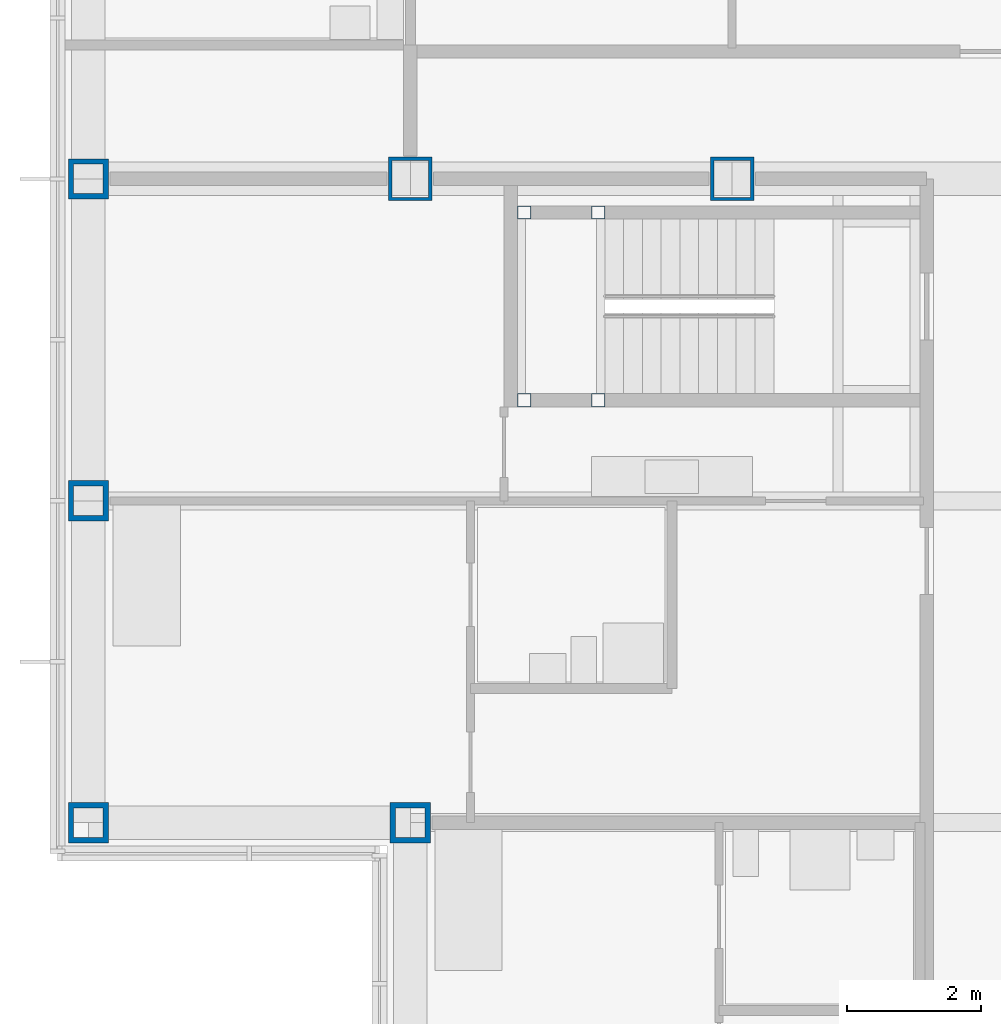
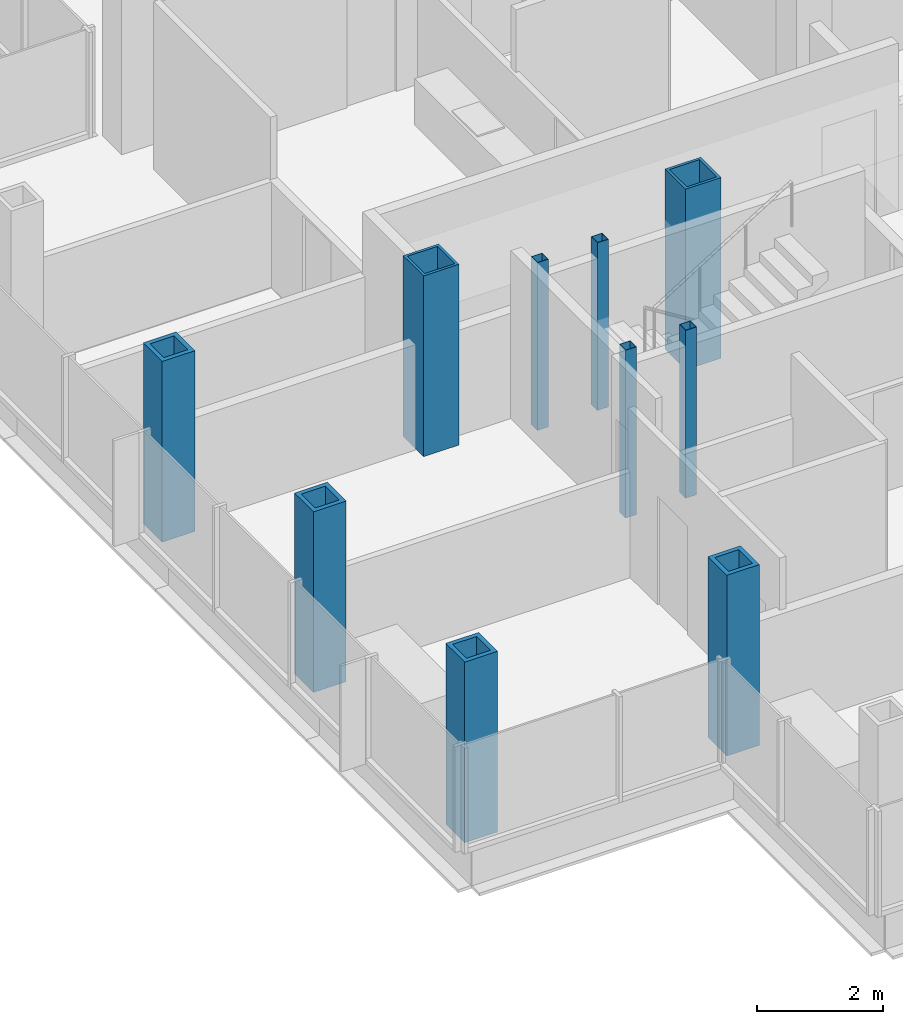
# One storey, part 3 of 20: 10 columns.
"""IFC4 building model written with IfcOpenShell, lengths in metres."""

from ifc_helpers import new_model, si_unit, direction, frame, origin, origin_2d, place, context, subcontext, project, spatial, hollow_rectangle, extrude, material, material_profile, profile_set, type_object, element, save


model = new_model("IFC4")

# Units and contexts
model_context = context("Model", 3, precision=1e-05, world=origin(), true_north=direction((0.0, 1.0)))
body_context = subcontext(model_context, "Body", "Model", "MODEL_VIEW")
ifc_project = project(units=[si_unit("LENGTHUNIT", "METRE"), si_unit("AREAUNIT", "SQUARE_METRE"), si_unit("VOLUMEUNIT", "CUBIC_METRE"), si_unit("PLANEANGLEUNIT", "RADIAN"), si_unit("MASSUNIT", "GRAM", prefix="KILO")], contexts=[model_context])

# Site, building, storey
site_placement = place(None, origin())
site = spatial("IfcSite", under=ifc_project, at=site_placement, CompositionType="ELEMENT")
building_placement = place(site_placement, origin())
building = spatial("IfcBuilding", under=site, at=building_placement, Name="Kvirike Care Tower", CompositionType="ELEMENT")
storey_placement = place(building_placement, frame((0.0, 0.0, 133.0)))
storey = spatial("IfcBuildingStorey", under=building, at=storey_placement, Name="L36", CompositionType="ELEMENT", Elevation=133.0)

# Columns
ifc_material_1 = material(Name="Steel S460", Category="steel")
ifc_material_profile_1 = material_profile(ifc_material_1, hollow_rectangle(XDim=0.60009765625, YDim=0.60009765625, WallThickness=0.080078125, at=origin_2d()), Name="BX 600x600x80")
ifc_profile_set_1 = profile_set([ifc_material_profile_1], Name="Steel S460")
column_type_1 = type_object("IfcColumnType", Name="COLUMN BX 600x600x80", PredefinedType="COLUMN", material=ifc_profile_set_1)
for number, where, z_axis, x_axis, name in (
    (1, (0.0, 33.60009765625, 0.0), (0.0, 0.0, 1.0), (0.0, 1.0, 0.0), "Column H3 L36"),
    (2, (0.0, 38.39990234375, 0.0), (0.0, 0.0, 1.0), (1.0, 0.0, 0.0), "Column J3 L36"),
    (3, (0.0, 43.199951171875, 0.0), (0.0, 0.0, 1.0), (0.0, 1.0, 0.0), "Column K3 L36"),
    (4, (4.800048828125, 33.60009765625, 0.0), (0.0, 0.0, 1.0), (0.0, 1.0, 0.0), "Column H4 L36"),
):
    element("IfcColumn", number, at=place(storey_placement, frame(where, z_axis=z_axis, x_axis=x_axis)), inside=storey, type_object=column_type_1, Name=name, PredefinedType="COLUMN", context=body_context, shape_type="SweptSolid", body=[
        extrude(hollow_rectangle(XDim=0.60009765625, YDim=0.60009765625, WallThickness=0.080078125, at=origin_2d()), origin(), (0.0, 0.0, 1.0), 3.5),
    ])
ifc_material_2 = material(Name="Steel S460", Category="steel")
ifc_material_profile_2 = material_profile(ifc_material_2, hollow_rectangle(XDim=0.64990234375, YDim=0.64990234375, WallThickness=0.050048828125, at=origin_2d()), Name="BX 650x650x50")
ifc_profile_set_2 = profile_set([ifc_material_profile_2], Name="Steel S460")
column_type_2 = type_object("IfcColumnType", Name="COLUMN BX 650x650x50", PredefinedType="COLUMN", material=ifc_profile_set_2)
for number, where, z_axis, x_axis, name in (
    (5, (4.800048828125, 43.199951171875, 0.0), (0.0, 0.0, 1.0), (0.0, 1.0, 0.0), "Column K4 L36"),
    (6, (9.60009765625, 43.199951171875, 0.0), (0.0, 0.0, 1.0), (0.0, 1.0, 0.0), "Column K5 L36"),
):
    element("IfcColumn", number, at=place(storey_placement, frame(where, z_axis=z_axis, x_axis=x_axis)), inside=storey, type_object=column_type_2, Name=name, PredefinedType="COLUMN", context=body_context, shape_type="SweptSolid", body=[
        extrude(hollow_rectangle(XDim=0.64990234375, YDim=0.64990234375, WallThickness=0.050048828125, at=origin_2d()), origin(), (0.0, 0.0, 1.0), 3.5),
    ])
ifc_material_3 = material(Name="Steel S460", Category="steel")
ifc_material_profile_3 = material_profile(ifc_material_3, hollow_rectangle(XDim=0.199951171875, YDim=0.199951171875, WallThickness=0.008056640625, at=origin_2d()), Name="SHS 200x200x8")
ifc_profile_set_3 = profile_set([ifc_material_profile_3], Name="Steel S460")
column_type_3 = type_object("IfcColumnType", Name="STAIR POST SHS 200x200x8", PredefinedType="COLUMN", material=ifc_profile_set_3)
for number, where, z_axis, x_axis, name in (
    (7, (6.5, 42.699951171875, 0.0), (0.0, 0.0, 1.0), (1.0, 0.0, 0.0), "Stair 1 post 1 L36"),
    (8, (6.5, 39.89990234375, 0.0), (0.0, 0.0, 1.0), (1.0, 0.0, 0.0), "Stair 1 post 2 L36"),
    (9, (7.60009765625, 42.699951171875, 0.0), (0.0, 0.0, 1.0), (1.0, 0.0, 0.0), "Stair 1 post 3 L36"),
    (10, (7.60009765625, 39.89990234375, 0.0), (0.0, 0.0, 1.0), (1.0, 0.0, 0.0), "Stair 1 post 4 L36"),
):
    element("IfcColumn", number, at=place(storey_placement, frame(where, z_axis=z_axis, x_axis=x_axis)), inside=storey, type_object=column_type_3, Name=name, PredefinedType="COLUMN", context=body_context, shape_type="SweptSolid", body=[
        extrude(hollow_rectangle(XDim=0.199951171875, YDim=0.199951171875, WallThickness=0.008056640625, at=origin_2d()), origin(), (0.0, 0.0, 1.0), 3.25),
    ])

save(model, "model.ifc")
